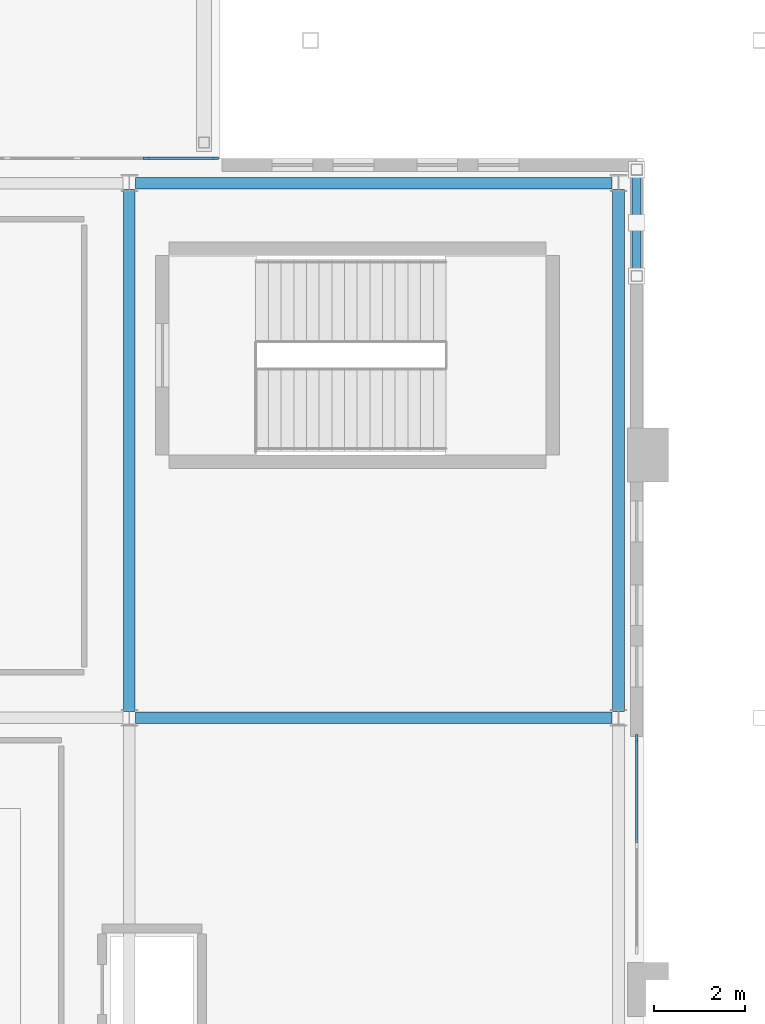
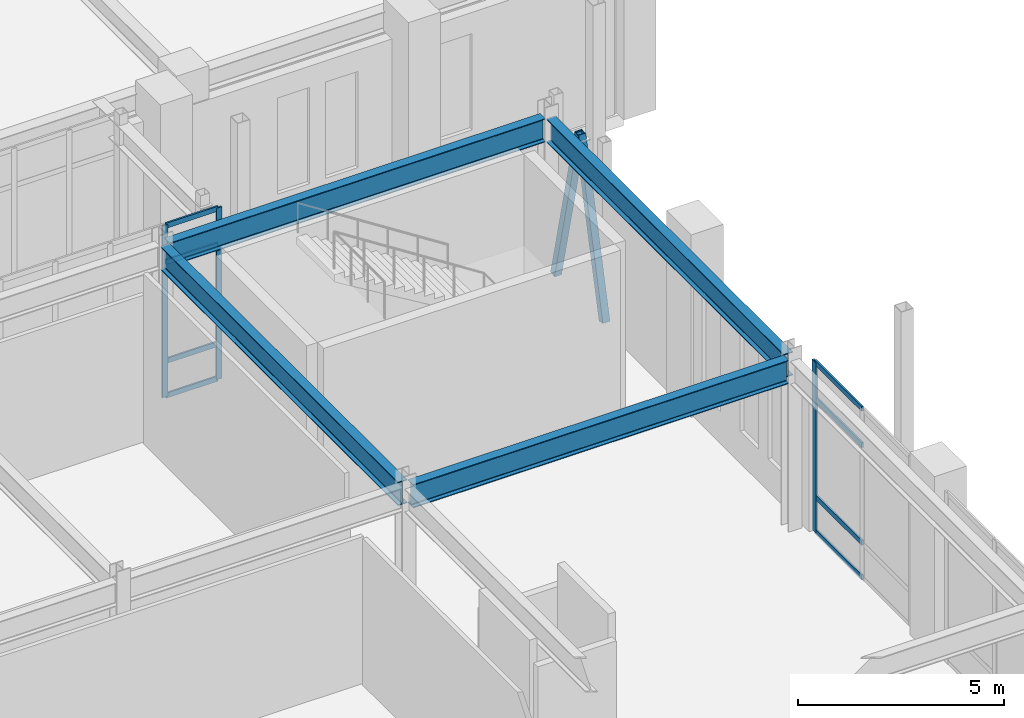
# One storey, part 77 of 159: 13 members, 4 beams, 2 elements without a shape of their own.
"""IFC4 building model written with IfcOpenShell, lengths in metres."""

from ifc_helpers import new_model, si_unit, derived_unit, direction, frame, origin, origin_2d, place, context, subcontext, project, spatial, rectangle, hollow_rectangle, i_section, extrude, material, layer, layer_set, material_profile, profile_set, type_object, element, aggregate, save


model = new_model("IFC4")

# Units and contexts
model_context = context("Model", 3, precision=1e-05, world=origin(), true_north=direction((0.0, 1.0)))
body_context = subcontext(model_context, "Body", "Model", "MODEL_VIEW")
ifc_project = project(units=[si_unit("LENGTHUNIT", "METRE"), si_unit("AREAUNIT", "SQUARE_METRE"), si_unit("VOLUMEUNIT", "CUBIC_METRE"), si_unit("PLANEANGLEUNIT", "RADIAN"), si_unit("MASSUNIT", "GRAM", prefix="KILO"), derived_unit("THERMALTRANSMITTANCEUNIT", [(si_unit("MASSUNIT", "GRAM", prefix="KILO"), 1), (si_unit("TIMEUNIT", "SECOND"), -3), (si_unit("THERMODYNAMICTEMPERATUREUNIT", "KELVIN"), -1)])], contexts=[model_context])

# Site, building, storey
site_placement = place(None, origin())
site = spatial("IfcSite", under=ifc_project, at=site_placement, CompositionType="ELEMENT")
building_placement = place(site_placement, origin())
building = spatial("IfcBuilding", under=site, at=building_placement, Name="Valcora Ridge Arena", CompositionType="ELEMENT")
storey_placement = place(building_placement, frame((0.0, 0.0, 6.0)))
storey = spatial("IfcBuildingStorey", under=building, at=storey_placement, Name="L01", CompositionType="ELEMENT", Elevation=6.0)

# Beams
ifc_material_1 = material(Name="Steel ASTM A572 Grade 50", Category="steel")
ifc_material_profile_1 = material_profile(ifc_material_1, i_section(OverallWidth=0.256103515625, OverallDepth=0.693115234375, WebThickness=0.014404296875, FlangeThickness=0.023681640625, FilletRadius=0.02001953125, at=origin_2d()), Name="W27X114")
ifc_profile_set_1 = profile_set([ifc_material_profile_1], Name="Steel ASTM A572 Grade 50")
beam_type_1 = type_object("IfcBeamType", Name="TY-BEAM-G-W27X114-X", PredefinedType="BEAM", material=ifc_profile_set_1)
beam_1_placement = place(storey_placement, frame((176.139892578125, 66.0, 4.693603515625), z_axis=(1.0, 0.0, 0.0), x_axis=(0.0, 1.0, 0.0)))
element("IfcBeam", 1, at=beam_1_placement, inside=storey, type_object=beam_type_1, Name="G-W27X114-X BEM-G-W27X114-X-0037", PredefinedType="BEAM", context=body_context, shape_type="SweptSolid", body=[
    extrude(i_section(OverallWidth=0.256103515625, OverallDepth=0.693115234375, WebThickness=0.014404296875, FlangeThickness=0.023681640625, FilletRadius=0.02001953125, at=origin_2d()), origin(), (0.0, 0.0, 1.0), 10.52001953125),
])
ifc_material_profile_2 = material_profile(ifc_material_1, i_section(OverallWidth=0.256103515625, OverallDepth=0.693115234375, WebThickness=0.014404296875, FlangeThickness=0.023681640625, FilletRadius=0.02001953125, at=origin_2d()), Name="W27X114")
ifc_profile_set_2 = profile_set([ifc_material_profile_2], Name="Steel ASTM A572 Grade 50")
beam_type_2 = type_object("IfcBeamType", Name="TY-BEAM-G-W27X114-Y", PredefinedType="BEAM", material=ifc_profile_set_2)
for number, where, z_axis, x_axis, name in (
    (2, (176.0, 66.139892578125, 4.693603515625), (0.0, 1.0, 0.0), (-1.0, 0.0, 0.0), "G-W27X114-Y BEM-G-W27X114-Y-0052"),
    (3, (186.800048828125, 66.139892578125, 4.693603515625), (0.0, 1.0, 0.0), (-1.0, 0.0, 0.0), "G-W27X114-Y BEM-G-W27X114-Y-0058"),
):
    element("IfcBeam", number, at=place(storey_placement, frame(where, z_axis=z_axis, x_axis=x_axis)), inside=storey, type_object=beam_type_2, Name=name, PredefinedType="BEAM", context=body_context, shape_type="SweptSolid", body=[
        extrude(i_section(OverallWidth=0.256103515625, OverallDepth=0.693115234375, WebThickness=0.014404296875, FlangeThickness=0.023681640625, FilletRadius=0.02001953125, at=origin_2d()), origin(), (0.0, 0.0, 1.0), 11.52001953125),
    ])
ifc_material_profile_3 = material_profile(ifc_material_1, i_section(OverallWidth=0.256103515625, OverallDepth=0.693115234375, WebThickness=0.014404296875, FlangeThickness=0.023681640625, FilletRadius=0.02001953125, at=origin_2d()), Name="W27X114")
ifc_profile_set_3 = profile_set([ifc_material_profile_3], Name="Steel ASTM A572 Grade 50")
beam_type_3 = type_object("IfcBeamType", Name="TY-BEAM-SP-W27X114", PredefinedType="SPANDREL", material=ifc_profile_set_3)
beam_2_placement = place(storey_placement, frame((176.139892578125, 77.800048828125, 4.693603515625), z_axis=(1.0, 0.0, 0.0), x_axis=(0.0, 1.0, 0.0)))
element("IfcBeam", 4, at=beam_2_placement, inside=storey, type_object=beam_type_3, Name="SP-W27X114 BEM-SP-W27X114-0020", PredefinedType="SPANDREL", context=body_context, shape_type="SweptSolid", body=[
    extrude(i_section(OverallWidth=0.256103515625, OverallDepth=0.693115234375, WebThickness=0.014404296875, FlangeThickness=0.023681640625, FilletRadius=0.02001953125, at=origin_2d()), origin(), (0.0, 0.0, 1.0), 10.52001953125),
])

# Curtain wall, members
ifc_material_2 = material(Name="Anodised dark bronze architectural aluminium 6063-T6", Category="aluminium")
ifc_layer_1 = layer(ifc_material_2, 0.14990234375, Name="Anodised dark bronze architectural aluminium 6063-T6")
ifc_layer_set_1 = layer_set([ifc_layer_1], Name="Anodised dark bronze architectural aluminium 6063-T6")
curtain_wall_type_1 = type_object("IfcCurtainWallType", Name="TY-CURTAINWALL-CW-BRG-138X51", PredefinedType="NOTDEFINED", material=ifc_layer_set_1)
curtain_wall_1_placement = place(storey_placement, origin())
curtain_wall_1 = element("IfcCurtainWall", 5, at=curtain_wall_1_placement, inside=storey, type_object=curtain_wall_type_1, Name="CW-BRG-138X51 CW-0356", PredefinedType="NOTDEFINED")
ifc_material_profile_4 = material_profile(ifc_material_2, rectangle(XDim=0.050048828125, YDim=0.14990234375, at=origin_2d()), Name="ALU MULLION 50x150")
ifc_profile_set_4 = profile_set([ifc_material_profile_4], Name="Anodised dark bronze architectural aluminium 6063-T6")
member_type_1 = type_object("IfcMemberType", Name="TY-MEM-CWM-50x150", PredefinedType="MULLION", material=ifc_profile_set_4)
member_1_placement = place(storey_placement, frame((176.382080078125, 78.35009765625, 0.0), z_axis=(0.0, 0.0, 1.0), x_axis=(0.0, 1.0, 0.0)))
member_1 = element("IfcMember", 6, at=member_1_placement, type_object=member_type_1, Name="CW-0356/CWM-50x150/M08", PredefinedType="MULLION", context=body_context, shape_type="SweptSolid", body=[
    extrude(rectangle(XDim=0.050048828125, YDim=0.14990234375, at=origin_2d()), origin(), (0.0, 0.0, 1.0), 5.080078125),
])
member_2_placement = place(storey_placement, frame((177.89501953125, 78.35009765625, 0.0), z_axis=(0.0, 0.0, 1.0), x_axis=(0.0, 1.0, 0.0)))
member_2 = element("IfcMember", 7, at=member_2_placement, type_object=member_type_1, Name="CW-0356/CWM-50x150/M09", PredefinedType="MULLION", context=body_context, shape_type="SweptSolid", body=[
    extrude(rectangle(XDim=0.050048828125, YDim=0.14990234375, at=origin_2d()), origin(), (0.0, 0.0, 1.0), 5.080078125),
])

ifc_layer_2 = layer(ifc_material_2, 0.179931640625, Name="Anodised dark bronze architectural aluminium 6063-T6")
ifc_layer_set_2 = layer_set([ifc_layer_2], Name="Anodised dark bronze architectural aluminium 6063-T6")
curtain_wall_type_2 = type_object("IfcCurtainWallType", Name="TY-CURTAINWALL-CW-V2-GLAZ-047X50", PredefinedType="NOTDEFINED", material=ifc_layer_set_2)
curtain_wall_2_placement = place(storey_placement, origin())
curtain_wall_2 = element("IfcCurtainWall", 8, at=curtain_wall_2_placement, inside=storey, type_object=curtain_wall_type_2, Name="CW-V2-GLAZ-047X50 CW-0056", PredefinedType="NOTDEFINED")
ifc_material_profile_5 = material_profile(ifc_material_2, rectangle(XDim=0.06005859375, YDim=0.179931640625, at=origin_2d()), Name="ALU MULLION 60x180")
ifc_profile_set_5 = profile_set([ifc_material_profile_5], Name="Anodised dark bronze architectural aluminium 6063-T6")
member_type_2 = type_object("IfcMemberType", Name="TY-MEM-CWM-60x180", PredefinedType="MULLION", material=ifc_profile_set_5)
member_3_placement = place(storey_placement, frame((187.199951171875, 65.54345703125, 0.0), z_axis=(0.0, 0.0, 1.0), x_axis=(-1.0, 0.0, 0.0)))
member_3 = element("IfcMember", 9, at=member_3_placement, type_object=member_type_2, Name="CW-0056/CWM-60x180/M02", PredefinedType="MULLION", context=body_context, shape_type="SweptSolid", body=[
    extrude(rectangle(XDim=0.06005859375, YDim=0.179931640625, at=origin_2d()), origin(), (0.0, 0.0, 1.0), 5.0400390625),
])
ifc_material_profile_6 = material_profile(ifc_material_2, rectangle(XDim=0.050048828125, YDim=0.14990234375, at=origin_2d()), Name="ALU TRANSOM 50x150")
ifc_profile_set_6 = profile_set([ifc_material_profile_6], Name="Anodised dark bronze architectural aluminium 6063-T6")
member_type_3 = type_object("IfcMemberType", Name="TY-MEM-CWT-50x150", PredefinedType="USERDEFINED", material=ifc_profile_set_6)
member_4_placement = place(storey_placement, frame((187.199951171875, 63.237060546875, 0.02490234375), z_axis=(0.0, 1.0, 0.0), x_axis=(-1.0, 0.0, 0.0)))
member_4 = element("IfcMember", 10, at=member_4_placement, type_object=member_type_3, Name="CW-0056/CWT-50x150/T01-00", ObjectType="TRANSOM", PredefinedType="USERDEFINED", context=body_context, shape_type="SweptSolid", body=[
    extrude(rectangle(XDim=0.050048828125, YDim=0.14990234375, at=origin_2d()), origin(), (0.0, 0.0, 1.0), 2.27587890625),
])
member_5_placement = place(storey_placement, frame((187.199951171875, 63.237060546875, 1.050048828125), z_axis=(0.0, 1.0, 0.0), x_axis=(-1.0, 0.0, 0.0)))
member_5 = element("IfcMember", 11, at=member_5_placement, type_object=member_type_3, Name="CW-0056/CWT-50x150/T01-01", ObjectType="TRANSOM", PredefinedType="USERDEFINED", context=body_context, shape_type="SweptSolid", body=[
    extrude(rectangle(XDim=0.050048828125, YDim=0.14990234375, at=origin_2d()), origin(), (0.0, 0.0, 1.0), 2.27587890625),
])
member_6_placement = place(storey_placement, frame((187.199951171875, 63.237060546875, 3.93994140625), z_axis=(0.0, 1.0, 0.0), x_axis=(-1.0, 0.0, 0.0)))
member_6 = element("IfcMember", 12, at=member_6_placement, type_object=member_type_3, Name="CW-0056/CWT-50x150/T01-02", ObjectType="TRANSOM", PredefinedType="USERDEFINED", context=body_context, shape_type="SweptSolid", body=[
    extrude(rectangle(XDim=0.050048828125, YDim=0.14990234375, at=origin_2d()), origin(), (0.0, 0.0, 1.0), 2.27587890625),
])
member_7_placement = place(storey_placement, frame((187.199951171875, 63.237060546875, 5.014892578125), z_axis=(0.0, 1.0, 0.0), x_axis=(-1.0, 0.0, 0.0)))
member_7 = element("IfcMember", 13, at=member_7_placement, type_object=member_type_3, Name="CW-0056/CWT-50x150/T01-03", ObjectType="TRANSOM", PredefinedType="USERDEFINED", context=body_context, shape_type="SweptSolid", body=[
    extrude(rectangle(XDim=0.050048828125, YDim=0.14990234375, at=origin_2d()), origin(), (0.0, 0.0, 1.0), 2.27587890625),
])
aggregate(curtain_wall_2, [member_3, member_4, member_5, member_6, member_7])

# Member
member_8_placement = place(storey_placement, frame((176.406982421875, 78.35009765625, 0.02490234375), z_axis=(1.0, 0.0, 0.0), x_axis=(0.0, 1.0, 0.0)))
member_8 = element("IfcMember", 14, at=member_8_placement, type_object=member_type_3, Name="CW-0356/CWT-50x150/T08-00", ObjectType="TRANSOM", PredefinedType="USERDEFINED", context=body_context, shape_type="SweptSolid", body=[
    extrude(rectangle(XDim=0.050048828125, YDim=0.14990234375, at=origin_2d()), origin(), (0.0, 0.0, 1.0), 1.463134765625),
])

member_9_placement = place(storey_placement, frame((176.406982421875, 78.35009765625, 1.050048828125), z_axis=(1.0, 0.0, 0.0), x_axis=(0.0, 1.0, 0.0)))
member_9 = element("IfcMember", 15, at=member_9_placement, type_object=member_type_3, Name="CW-0356/CWT-50x150/T08-01", ObjectType="TRANSOM", PredefinedType="USERDEFINED", context=body_context, shape_type="SweptSolid", body=[
    extrude(rectangle(XDim=0.050048828125, YDim=0.14990234375, at=origin_2d()), origin(), (0.0, 0.0, 1.0), 1.463134765625),
])

member_10_placement = place(storey_placement, frame((176.406982421875, 78.35009765625, 3.97998046875), z_axis=(1.0, 0.0, 0.0), x_axis=(0.0, 1.0, 0.0)))
member_10 = element("IfcMember", 16, at=member_10_placement, type_object=member_type_3, Name="CW-0356/CWT-50x150/T08-02", ObjectType="TRANSOM", PredefinedType="USERDEFINED", context=body_context, shape_type="SweptSolid", body=[
    extrude(rectangle(XDim=0.050048828125, YDim=0.14990234375, at=origin_2d()), origin(), (0.0, 0.0, 1.0), 1.463134765625),
])

member_11_placement = place(storey_placement, frame((176.406982421875, 78.35009765625, 5.054931640625), z_axis=(1.0, 0.0, 0.0), x_axis=(0.0, 1.0, 0.0)))
member_11 = element("IfcMember", 17, at=member_11_placement, type_object=member_type_3, Name="CW-0356/CWT-50x150/T08-03", ObjectType="TRANSOM", PredefinedType="USERDEFINED", context=body_context, shape_type="SweptSolid", body=[
    extrude(rectangle(XDim=0.050048828125, YDim=0.14990234375, at=origin_2d()), origin(), (0.0, 0.0, 1.0), 1.463134765625),
])

aggregate(curtain_wall_1, [member_1, member_2, member_8, member_9, member_10, member_11])

# Members
ifc_material_3 = material(Name="Steel ASTM A500 Grade C", Category="steel")
ifc_material_profile_7 = material_profile(ifc_material_3, hollow_rectangle(XDim=0.199951171875, YDim=0.199951171875, WallThickness=0.012451171875, at=origin_2d()), Name="HSS200X200X12")
ifc_profile_set_7 = profile_set([ifc_material_profile_7], Name="Steel ASTM A500 Grade C")
member_type_4 = type_object("IfcMemberType", Name="TY-MEMBER-CBF-200A", PredefinedType="BRACE", material=ifc_profile_set_7)
member_12_placement = place(storey_placement, frame((187.199951171875, 75.75, 0.02001953125), z_axis=(0.0, 0.23501441491, 0.971991885143), x_axis=(-1.0, 0.0, 0.0)))
element("IfcMember", 18, at=member_12_placement, inside=storey, type_object=member_type_4, Name="CBF-200A Diagonal Brace", PredefinedType="BRACE", context=body_context, shape_type="SweptSolid", body=[
    extrude(hollow_rectangle(XDim=0.199951171875, YDim=0.199951171875, WallThickness=0.012451171875, at=origin_2d()), origin(), (0.0, 0.0, 1.0), 5.0),
])
ifc_material_profile_8 = material_profile(ifc_material_3, hollow_rectangle(XDim=0.199951171875, YDim=0.199951171875, WallThickness=0.012451171875, at=origin_2d()), Name="HSS200X200X12")
ifc_profile_set_8 = profile_set([ifc_material_profile_8], Name="Steel ASTM A500 Grade C")
member_type_5 = type_object("IfcMemberType", Name="TY-MEMBER-CBF-200B", PredefinedType="BRACE", material=ifc_profile_set_8)
member_13_placement = place(storey_placement, frame((187.199951171875, 78.10009765625, 0.02001953125), z_axis=(0.0, -0.23501441491, 0.971991885143), x_axis=(1.0, 0.0, 0.0)))
element("IfcMember", 19, at=member_13_placement, inside=storey, type_object=member_type_5, Name="CBF-200B Diagonal Brace", PredefinedType="BRACE", context=body_context, shape_type="SweptSolid", body=[
    extrude(hollow_rectangle(XDim=0.199951171875, YDim=0.199951171875, WallThickness=0.012451171875, at=origin_2d()), origin(), (0.0, 0.0, 1.0), 5.0),
])

save(model, "model.ifc")
